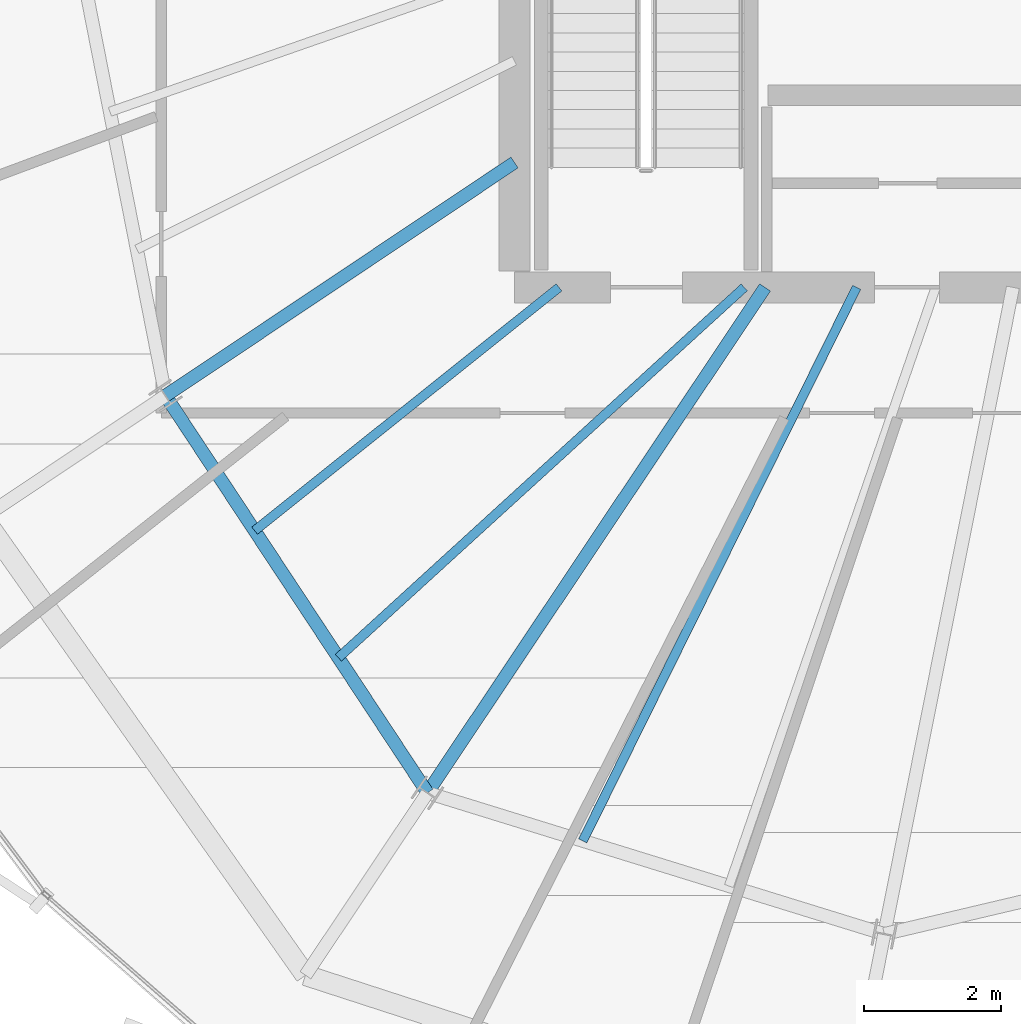
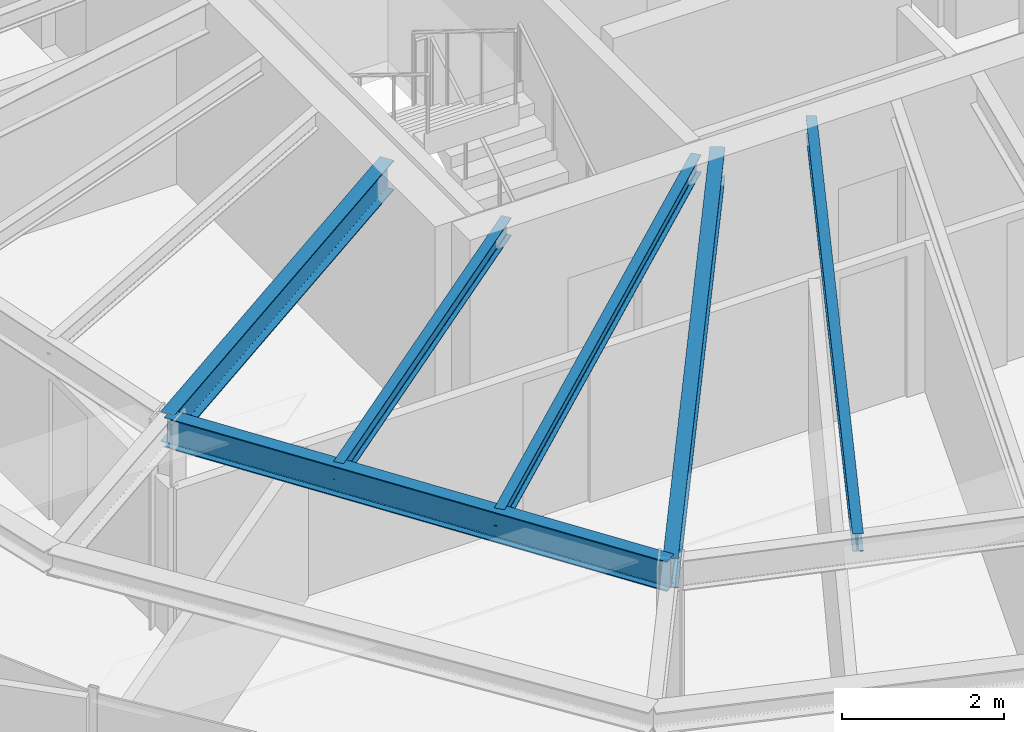
# One storey, part 5 of 33: 6 beams.
"""IFC4 building model written with IfcOpenShell, lengths in metres."""

from ifc_helpers import new_model, si_unit, direction, frame, origin, origin_2d, place, context, subcontext, project, spatial, i_section, extrude, source, transform, mapped, material, material_profile, profile_set, type_object, element, save


model = new_model("IFC4")

# Units and contexts
model_context = context("Model", 3, precision=1e-05, world=origin(), true_north=direction((0.0, 1.0)))
body_context = subcontext(model_context, "Body", "Model", "MODEL_VIEW")
ifc_project = project(units=[si_unit("LENGTHUNIT", "METRE"), si_unit("AREAUNIT", "SQUARE_METRE"), si_unit("VOLUMEUNIT", "CUBIC_METRE"), si_unit("PLANEANGLEUNIT", "RADIAN"), si_unit("MASSUNIT", "GRAM", prefix="KILO"), si_unit("THERMODYNAMICTEMPERATUREUNIT", "KELVIN")], contexts=[model_context])

# Site, building, storey
site_placement = place(None, origin())
site = spatial("IfcSite", under=ifc_project, at=site_placement, CompositionType="ELEMENT")
building_placement = place(site_placement, origin())
building = spatial("IfcBuilding", under=site, at=building_placement, Name="Kethvar Cultural Tower", CompositionType="ELEMENT")
storey_placement = place(building_placement, frame((0.0, 0.0, 256.0)))
storey = spatial("IfcBuildingStorey", under=building, at=storey_placement, Name="L67", CompositionType="ELEMENT", Elevation=256.0)

# Beams
ifc_material = material(Name="Steel S355J2", Category="steel")
ifc_material_profile_1 = material_profile(ifc_material, i_section(OverallWidth=0.18994140625, OverallDepth=0.449951171875, WebThickness=0.009521484375, FlangeThickness=0.0146484375, FilletRadius=0.02099609375, at=origin_2d()), Name="Steel S355J2 — IPE450")
ifc_profile_set_1 = profile_set([ifc_material_profile_1], Name="Steel S355J2 — IPE450")
beam_type_1 = type_object("IfcBeamType", Name="BM-IPE450", PredefinedType="BEAM", material=ifc_profile_set_1)
shared_shape_1 = source(origin(), body_context, "Body", "SweptSolid", [
    extrude(i_section(OverallWidth=0.18994140625, OverallDepth=0.449951171875, WebThickness=0.009521484375, FlangeThickness=0.0146484375, FilletRadius=0.02099609375, at=origin_2d()), origin(), (0.0, 0.0, 1.0), 6.118408203125),
])
beam_1_placement = place(storey_placement, frame((38.0, 21.920166015625, 2.98291015625), z_axis=(-0.831466631282, -0.555574694406, 0.0), x_axis=(0.555574694406, -0.831466631282, 0.0)))
element("IfcBeam", 1, at=beam_1_placement, inside=storey, type_object=beam_type_1, Name="L67 Primary Radial Beam RB-10", PredefinedType="BEAM", context=body_context, shape_type="MappedRepresentation", body=[
    mapped(shared_shape_1, transform((0.0, 0.0, 0.0), scale=1.0)),
])
shared_shape_2 = source(origin(), body_context, "Body", "SweptSolid", [
    extrude(i_section(OverallWidth=0.18994140625, OverallDepth=0.449951171875, WebThickness=0.009521484375, FlangeThickness=0.0146484375, FilletRadius=0.02099609375, at=origin_2d()), origin(), (0.0, 0.0, 1.0), 8.86279296875),
])
beam_2_placement = place(storey_placement, frame((41.655029296875, 20.10009765625, 2.98291015625), z_axis=(-0.555564443415, -0.831473480764, 0.0), x_axis=(0.831473480764, -0.555564443415, 0.0)))
element("IfcBeam", 2, at=beam_2_placement, inside=storey, type_object=beam_type_1, Name="L67 Primary Radial Beam RB-11", PredefinedType="BEAM", context=body_context, shape_type="MappedRepresentation", body=[
    mapped(shared_shape_2, transform((0.0, 0.0, 0.0), scale=1.0)),
])
shared_shape_3 = source(origin(), body_context, "Body", "SweptSolid", [
    extrude(i_section(OverallWidth=0.18994140625, OverallDepth=0.449951171875, WebThickness=0.009521484375, FlangeThickness=0.0146484375, FilletRadius=0.02099609375, at=origin_2d()), origin(), (0.0, 0.0, 1.0), 6.935791015625),
])
beam_3_placement = place(storey_placement, frame((32.912841796875, 18.52099609375, 2.98291015625), z_axis=(0.550534204139, -0.834812607759, 0.0), x_axis=(0.834812607759, 0.550534204139, 0.0)))
element("IfcBeam", 3, at=beam_3_placement, inside=storey, type_object=beam_type_1, Name="L67 Column Ring Tie Beam CR-10", PredefinedType="BEAM", context=body_context, shape_type="MappedRepresentation", body=[
    mapped(shared_shape_3, transform((0.0, 0.0, 0.0), scale=1.0)),
])
ifc_material_profile_2 = material_profile(ifc_material, i_section(OverallWidth=0.135009765625, OverallDepth=0.27001953125, WebThickness=0.006591796875, FlangeThickness=0.01025390625, FilletRadius=0.014892578125, at=origin_2d()), Name="Steel S355J2 — IPE270")
ifc_profile_set_2 = profile_set([ifc_material_profile_2], Name="Steel S355J2 — IPE270")
beam_type_2 = type_object("IfcBeamType", Name="BM-J270", PredefinedType="JOIST", material=ifc_profile_set_2)
shared_shape_4 = source(origin(), body_context, "Body", "SweptSolid", [
    extrude(i_section(OverallWidth=0.135009765625, OverallDepth=0.27001953125, WebThickness=0.006591796875, FlangeThickness=0.01025390625, FilletRadius=0.014892578125, at=origin_2d()), origin(), (0.0, 0.0, 1.0), 5.68212890625),
])
beam_4_placement = place(storey_placement, frame((38.64990234375, 20.10009765625, 3.072998046875), z_axis=(-0.781157957733, -0.624333440615, 0.0), x_axis=(0.624333440615, -0.781157957733, 0.0)))
element("IfcBeam", 4, at=beam_4_placement, inside=storey, type_object=beam_type_2, Name="L67 Composite Floor Joist J-10A", PredefinedType="JOIST", context=body_context, shape_type="MappedRepresentation", body=[
    mapped(shared_shape_4, transform((0.0, 0.0, 0.0), scale=1.0)),
])
shared_shape_5 = source(origin(), body_context, "Body", "SweptSolid", [
    extrude(i_section(OverallWidth=0.135009765625, OverallDepth=0.27001953125, WebThickness=0.006591796875, FlangeThickness=0.01025390625, FilletRadius=0.014892578125, at=origin_2d()), origin(), (0.0, 0.0, 1.0), 8.010986328125),
])
beam_5_placement = place(storey_placement, frame((41.35009765625, 20.10009765625, 3.072998046875), z_axis=(-0.738614798856, -0.674127717061, 0.0), x_axis=(0.674127717061, -0.738614798856, 0.0)))
element("IfcBeam", 5, at=beam_5_placement, inside=storey, type_object=beam_type_2, Name="L67 Composite Floor Joist J-10B", PredefinedType="JOIST", context=body_context, shape_type="MappedRepresentation", body=[
    mapped(shared_shape_5, transform((0.0, 0.0, 0.0), scale=1.0)),
])
shared_shape_6 = source(origin(), body_context, "Body", "SweptSolid", [
    extrude(i_section(OverallWidth=0.135009765625, OverallDepth=0.27001953125, WebThickness=0.006591796875, FlangeThickness=0.01025390625, FilletRadius=0.014892578125, at=origin_2d()), origin(), (0.0, 0.0, 1.0), 9.00341796875),
])
beam_6_placement = place(storey_placement, frame((42.989501953125, 20.10009765625, 3.072998046875), z_axis=(-0.443543695319, -0.896252749141, 0.0), x_axis=(0.896252749141, -0.443543695319, 0.0)))
element("IfcBeam", 6, at=beam_6_placement, inside=storey, type_object=beam_type_2, Name="L67 Composite Floor Joist J-11A", PredefinedType="JOIST", context=body_context, shape_type="MappedRepresentation", body=[
    mapped(shared_shape_6, transform((0.0, 0.0, 0.0), scale=1.0)),
])

save(model, "model.ifc")
